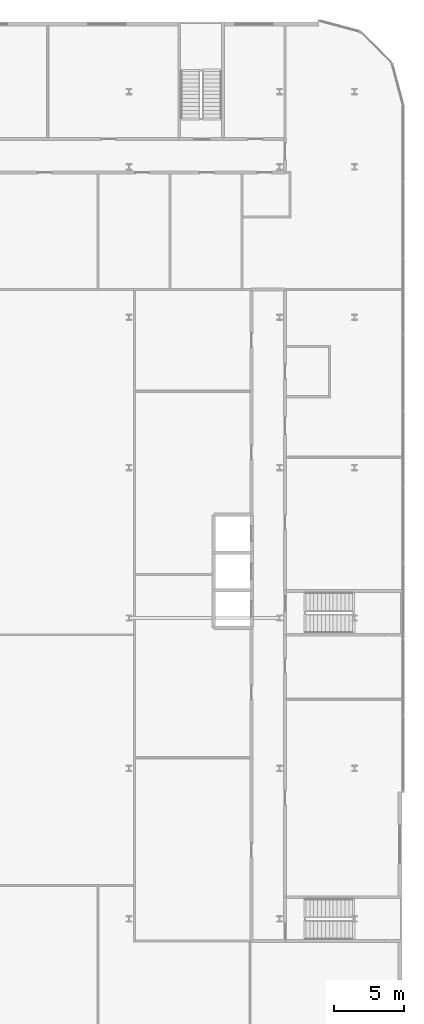
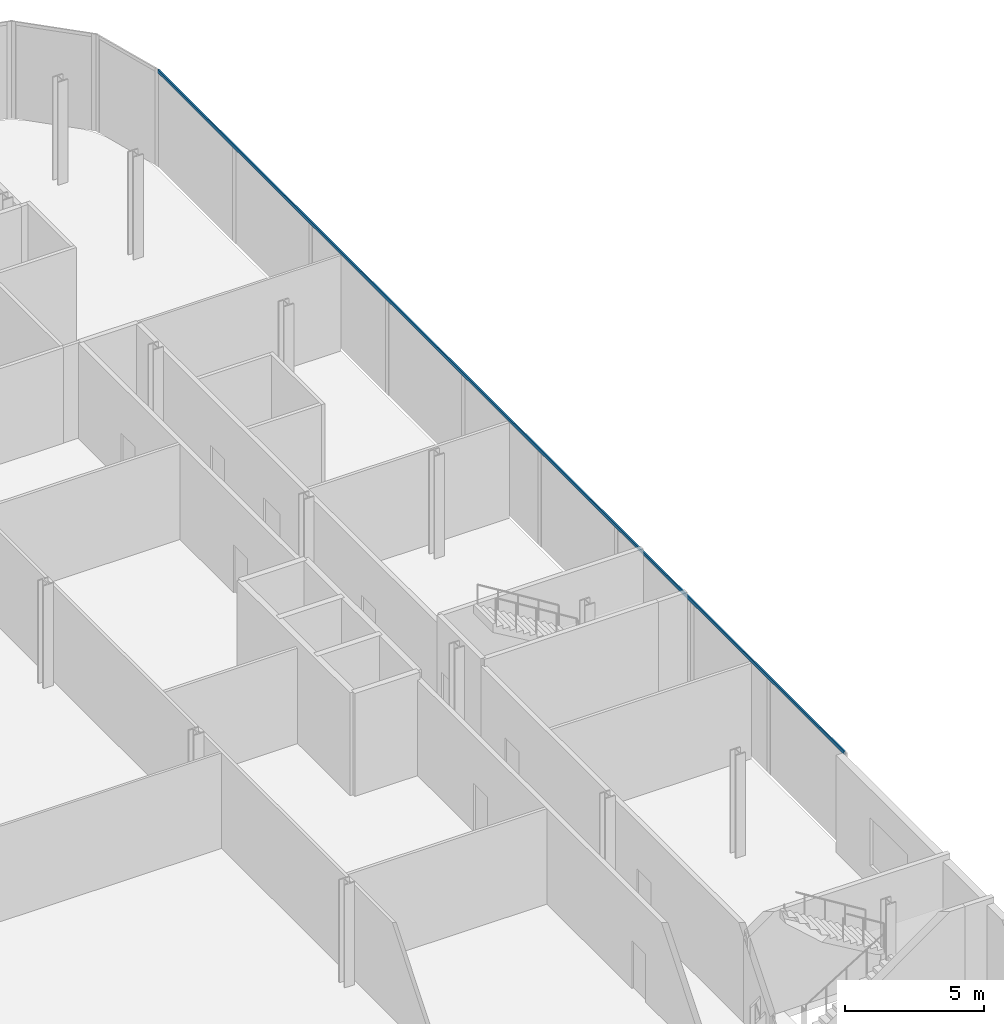
# One storey, part 20 of 47: 1 member, 1 element without a shape of its own.
"""IFC4 building model written with IfcOpenShell, lengths in metres."""

import ifcopenshell
import ifcopenshell.guid

model = None  # the IFC model being written
_history = None  # IfcOwnerHistory: only IFC2X3 demands one
_inside = {}  # id of a spatial element -> (the spatial element, [elements in it])
_under = {}  # id of a project, library or spatial element -> (it, [spatial elements below it])
_declared = {}  # id of a project -> (the project, [libraries it declares])
_typed = {}  # id of a type object -> (the type object, [elements of that type])
_made_of = {}  # id of a material, layer set ... -> (it, [elements and type objects made of it])


def new_model(schema):
    """Start an empty IFC model of exactly this schema.

    Asked for "IFC4X3", IfcOpenShell would pick the latest addendum, in which some entities
    have other attributes; the version numbers below select the first issue.
    IFC2X3 requires an IfcOwnerHistory on every rooted entity: one is made here for all.
    """
    global model, _history
    if schema == "IFC4X3":
        model = ifcopenshell.file(schema_version=(4, 3, 0, 0))
    else:
        model = ifcopenshell.file(schema=schema)
    _inside.clear()
    _under.clear()
    _declared.clear()
    _typed.clear()
    _made_of.clear()
    _history = None
    if model.schema == "IFC2X3":
        org = make("IfcOrganization", Name="unknown")
        user = make(
            "IfcPersonAndOrganization",
            ThePerson=make("IfcPerson", FamilyName="unknown"),
            TheOrganization=org,
        )
        app = make(
            "IfcApplication",
            ApplicationDeveloper=org,
            Version="unknown",
            ApplicationFullName="unknown",
            ApplicationIdentifier="unknown",
        )
        _history = make(
            "IfcOwnerHistory",
            OwningUser=user,
            OwningApplication=app,
            ChangeAction="ADDED",
            CreationDate=0,
        )
    return model


def make(cls, **values):
    """One entity of the class cls with the attributes given. An attribute that is None is left unset."""
    return model.create_entity(
        cls, **{name: value for name, value in values.items() if value is not None}
    )


def rooted(cls, **values):
    """An entity with a GlobalId (a new one), such as an element, a storey or a relation."""
    return make(cls, GlobalId=ifcopenshell.guid.new(), OwnerHistory=_history, **values)


def si_unit(unit_type, name, prefix=None):
    """IfcSIUnit, for example si_unit("LENGTHUNIT", "METRE", prefix="MILLI")."""
    return make("IfcSIUnit", UnitType=unit_type, Prefix=prefix, Name=name)


def assignment(units):
    """IfcUnitAssignment: the units of a project."""
    return None if units is None else make("IfcUnitAssignment", Units=units)


def point(xyz):
    """IfcCartesianPoint."""
    return None if xyz is None else make("IfcCartesianPoint", Coordinates=xyz)


def direction(xyz):
    """IfcDirection."""
    return None if xyz is None else make("IfcDirection", DirectionRatios=xyz)


def frame(location, z_axis=None, x_axis=None):
    """IfcAxis2Placement3D, a coordinate frame: its origin and axes. An axis left out is left unset."""
    return make(
        "IfcAxis2Placement3D",
        Location=point(location),
        Axis=direction(z_axis),
        RefDirection=direction(x_axis),
    )


def frame_2d(location, x_axis=None):
    """IfcAxis2Placement2D, a coordinate frame in the plane: its origin and x axis."""
    return make(
        "IfcAxis2Placement2D", Location=point(location), RefDirection=direction(x_axis)
    )


def origin():
    """The frame at (0, 0, 0) with its axes left unset."""
    return frame((0.0, 0.0, 0.0))


def origin_2d():
    """The frame at (0, 0) in the plane with its x axis left unset."""
    return frame_2d((0.0, 0.0))


def place(relative_to, where):
    """IfcLocalPlacement: puts the frame where relative to a parent placement (None: the world)."""
    return make(
        "IfcLocalPlacement", PlacementRelTo=relative_to, RelativePlacement=where
    )


def context(
    kind, dimensions, precision=None, world=None, true_north=None, identifier=None
):
    """IfcGeometricRepresentationContext, for example the 3D "Model" context."""
    return make(
        "IfcGeometricRepresentationContext",
        ContextIdentifier=identifier,
        ContextType=kind,
        CoordinateSpaceDimension=dimensions,
        Precision=precision,
        WorldCoordinateSystem=world,
        TrueNorth=true_north,
    )


def subcontext(parent, identifier, kind, view, scale=None):
    """IfcGeometricRepresentationSubContext, for example "Body" below "Model"."""
    return make(
        "IfcGeometricRepresentationSubContext",
        ContextIdentifier=identifier,
        ContextType=kind,
        ParentContext=parent,
        TargetScale=scale,
        TargetView=view,
    )


def project(units=None, contexts=None):
    """IfcProject with its units and contexts."""
    return rooted(
        "IfcProject",
        Name="project",
        RepresentationContexts=contexts,
        UnitsInContext=assignment(units),
    )


def spatial(cls, under=None, at=None, **own):
    """A site, building, storey or space (cls), placed at a placement, below another one or the project."""
    s = rooted(cls, ObjectPlacement=at, **own)
    if under is not None:
        _under.setdefault(under.id(), (under, []))[1].append(s)
    return s


def profile(cls, at=None, kind="AREA", **sizes):
    """A parametric profile (cls). Its sizes go by their IFC names, for example OverallWidth=200.0."""
    return make(cls, ProfileType=kind, Position=at, **sizes)


def rectangle(**sizes):
    """IfcRectangleProfileDef."""
    return profile("IfcRectangleProfileDef", **sizes)


def extrude(swept, where, along, depth):
    """IfcExtrudedAreaSolid: the profile swept, set in the frame where, extruded along a direction by depth."""
    return make(
        "IfcExtrudedAreaSolid",
        SweptArea=swept,
        Position=where,
        ExtrudedDirection=direction(along),
        Depth=depth,
    )


def shape(context_of_items, identifier, shape_type, items):
    """IfcShapeRepresentation: the items that make up one representation, for example the "Body"."""
    return make(
        "IfcShapeRepresentation",
        ContextOfItems=context_of_items,
        RepresentationIdentifier=identifier,
        RepresentationType=shape_type,
        Items=items,
    )


def material(Name=None, Category=None):
    """IfcMaterial."""
    return make("IfcMaterial", Name=Name, Category=Category)


def layer(
    of_material, thickness, ventilated=None, Name=None, Category=None, Priority=None
):
    """IfcMaterialLayer: one layer of a wall or slab, of a material (None: an air gap)."""
    return make(
        "IfcMaterialLayer",
        Material=of_material,
        LayerThickness=thickness,
        IsVentilated=ventilated,
        Name=Name,
        Category=Category,
        Priority=Priority,
    )


def layer_set(layers, Name=None):
    """IfcMaterialLayerSet."""
    return make("IfcMaterialLayerSet", MaterialLayers=layers, LayerSetName=Name)


def material_profile(
    of_material, cross_section, Name=None, Category=None, Priority=None
):
    """IfcMaterialProfile: a cross section and its material."""
    return make(
        "IfcMaterialProfile",
        Name=Name,
        Material=of_material,
        Profile=cross_section,
        Priority=Priority,
        Category=Category,
    )


def profile_set(profiles, Name=None, composite=None):
    """IfcMaterialProfileSet."""
    return make(
        "IfcMaterialProfileSet",
        Name=Name,
        MaterialProfiles=profiles,
        CompositeProfile=composite,
    )


def made_of(thing, what):
    """Note that an element or type object is made of a material, layer set ...; save() writes the relation."""
    if what is not None:
        _made_of.setdefault(what.id(), (what, []))[1].append(thing)
    return thing


def type_object(cls, material=None, **own):
    """A type object (cls), such as IfcWallType, which elements share."""
    return made_of(rooted(cls, **own), material)


def element(
    cls,
    number,
    at=None,
    inside=None,
    cuts=None,
    type_object=None,
    material=None,
    context=None,
    identifier="Body",
    shape_type=None,
    held_by="IfcProductDefinitionShape",
    body=None,
    shapes=None,
    **own,
):
    """One element of the class cls, such as IfcWall. Its Tag is "e" and its number.

    at: its placement. inside: the storey or other place that contains it. cuts: it is an
    opening in that element (IfcRelVoidsElement). A single representation is given by context,
    identifier, shape_type and body (its items); several are given by shapes. held_by: the class
    of the entity that holds the representations. save() writes the other relations.
    """
    e = rooted(cls, Tag="e%d" % number, ObjectPlacement=at, **own)
    if body is not None:
        shapes = [shape(context, identifier, shape_type, body)]
    if shapes is not None:
        e.Representation = make(held_by, Representations=shapes)
    if inside is not None:
        _inside.setdefault(inside.id(), (inside, []))[1].append(e)
    if cuts is not None:
        rooted(
            "IfcRelVoidsElement", RelatingBuildingElement=cuts, RelatedOpeningElement=e
        )
    if type_object is not None:
        _typed.setdefault(type_object.id(), (type_object, []))[1].append(e)
    return made_of(e, material)


def aggregate(whole, parts):
    """IfcRelAggregates: a whole, such as a stair, and the parts it consists of."""
    return rooted("IfcRelAggregates", RelatingObject=whole, RelatedObjects=parts)


def save(model, path):
    """Write the relations noted so far, then the file.

    IfcRelAggregates (storeys below a building ...), IfcRelContainedInSpatialStructure (elements
    in a storey), IfcRelDefinesByType, IfcRelAssociatesMaterial and IfcRelDeclares: one each for
    every whole, place, type object, material and project.
    """
    for whole, parts in _under.values():
        aggregate(whole, parts)
    for where, things in _inside.values():
        rooted(
            "IfcRelContainedInSpatialStructure",
            RelatedElements=things,
            RelatingStructure=where,
        )
    for kind, things in _typed.values():
        rooted("IfcRelDefinesByType", RelatedObjects=things, RelatingType=kind)
    for what, things in _made_of.values():
        rooted("IfcRelAssociatesMaterial", RelatedObjects=things, RelatingMaterial=what)
    for by, libraries in _declared.values():
        rooted("IfcRelDeclares", RelatingContext=by, RelatedDefinitions=libraries)
    model.write(path)


model = new_model("IFC4")

# Units and contexts
model_context = context("Model", 3, precision=1e-05, world=origin(), true_north=direction((0.0, 1.0)))
body_context = subcontext(model_context, "Body", "Model", "MODEL_VIEW")
ifc_project = project(units=[si_unit("LENGTHUNIT", "METRE"), si_unit("AREAUNIT", "SQUARE_METRE"), si_unit("VOLUMEUNIT", "CUBIC_METRE"), si_unit("PLANEANGLEUNIT", "RADIAN"), si_unit("MASSUNIT", "GRAM", prefix="KILO")], contexts=[model_context])

# Site, building, storey
site_placement = place(None, origin())
site = spatial("IfcSite", under=ifc_project, at=site_placement, CompositionType="ELEMENT")
building_placement = place(site_placement, origin())
building = spatial("IfcBuilding", under=site, at=building_placement, Name="Kheshtan School and Residences Tower", CompositionType="ELEMENT")
storey_placement = place(building_placement, frame((0.0, 0.0, 17.0)))
storey = spatial("IfcBuildingStorey", under=building, at=storey_placement, Name="L03", CompositionType="ELEMENT", Elevation=17.0)

# Curtain wall, member
ifc_material_1 = material(Name="Clear low-e glass in thermally broken aluminium frame", Category="aluminium")
ifc_layer = layer(ifc_material_1, 0.22509765625)
ifc_layer_set = layer_set([ifc_layer], Name="Curtain wall CW-P")
curtain_wall_type = type_object("IfcCurtainWallType", Name="Curtain wall CW-P", PredefinedType="NOTDEFINED", material=ifc_layer_set)
curtain_wall_placement = place(storey_placement, origin())
curtain_wall = element("IfcCurtainWall", 1, at=curtain_wall_placement, inside=storey, type_object=curtain_wall_type, Name="Curtain wall CWP8a", PredefinedType="NOTDEFINED")
ifc_material_2 = material(Name="Thermally broken aluminium, dark bronze anodised", Category="aluminium")
ifc_material_profile = material_profile(ifc_material_2, rectangle(XDim=0.06005859375, YDim=0.139892578125, at=origin_2d()), Name="CW-P transom 60x140")
ifc_profile_set = profile_set([ifc_material_profile], Name="Thermally broken aluminium, dark bronze anodised")
member_type = type_object("IfcMemberType", Name="CW-P transom 60x140", PredefinedType="USERDEFINED", material=ifc_profile_set)
member_placement = place(storey_placement, frame((132.10009765625, 104.02490234375, 4.179931640625), z_axis=(0.0, -1.0, 0.0), x_axis=(1.0, 0.0, 0.0)))
member = element("IfcMember", 2, at=member_placement, type_object=member_type, Name="CWP8a transom 1", ObjectType="TRANSOM", PredefinedType="USERDEFINED", context=body_context, shape_type="SweptSolid", body=[
    extrude(rectangle(XDim=0.06005859375, YDim=0.139892578125, at=origin_2d()), origin(), (0.0, 0.0, 1.0), 49.244873046875),
])
aggregate(curtain_wall, [member])

save(model, "model.ifc")
